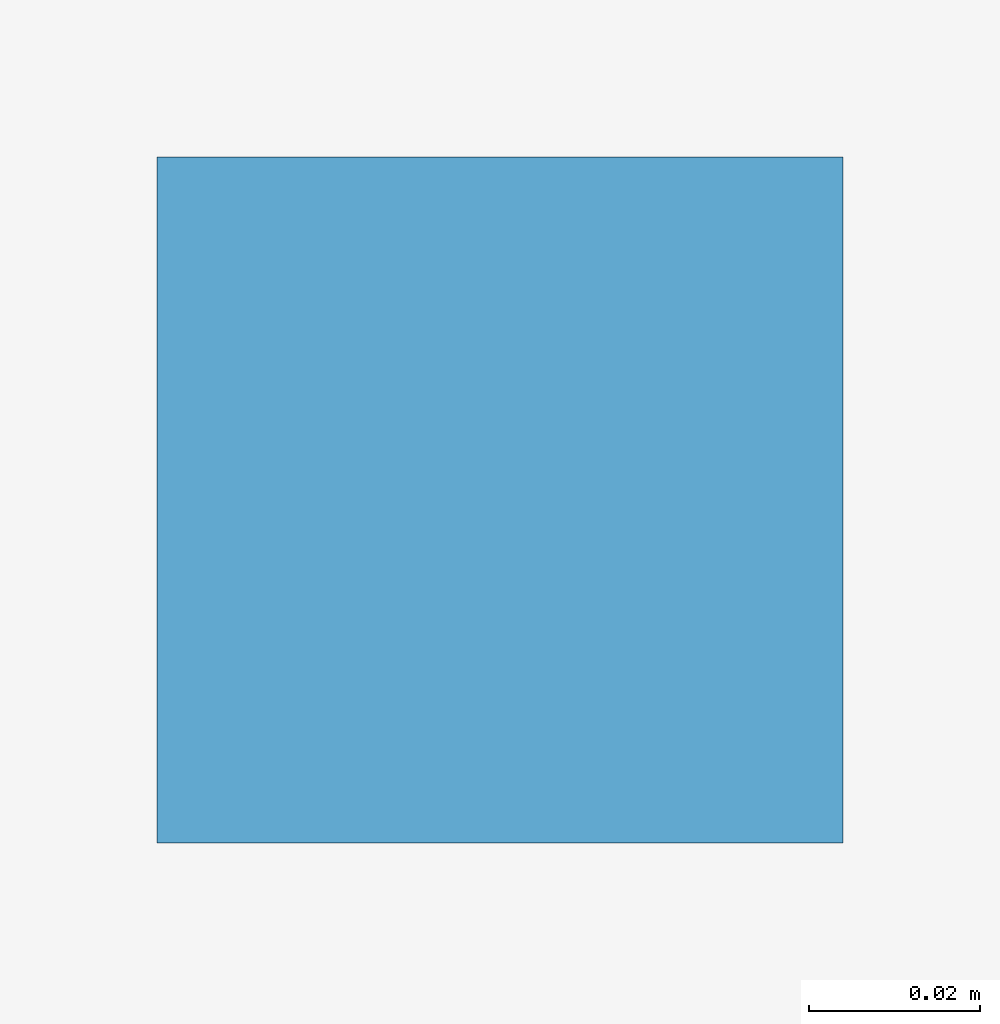
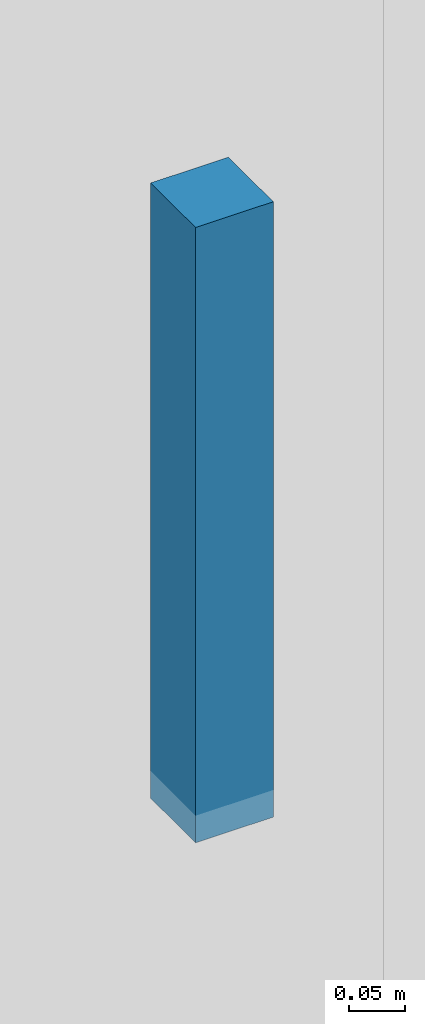
# One storey, part 11 of 15: 1 discrete accessory.
"""IFC4 building model written with IfcOpenShell, lengths in metres."""

from ifc_helpers import new_model, si_unit, direction, frame, origin, origin_2d, place, context, subcontext, project, spatial, rectangle, extrude, source, transform, mapped, material, type_object, element, save


model = new_model("IFC4")

# Units and contexts
model_context = context("Model", 3, precision=1e-05, world=origin(), true_north=direction((0.0, 1.0)))
body_context = subcontext(model_context, "Body", "Model", "MODEL_VIEW")
ifc_project = project(units=[si_unit("LENGTHUNIT", "METRE"), si_unit("AREAUNIT", "SQUARE_METRE"), si_unit("VOLUMEUNIT", "CUBIC_METRE"), si_unit("PLANEANGLEUNIT", "RADIAN"), si_unit("MASSUNIT", "GRAM", prefix="KILO")], contexts=[model_context])

# Site, building, storey
site_placement = place(None, origin())
site = spatial("IfcSite", under=ifc_project, at=site_placement, CompositionType="ELEMENT")
building_placement = place(site_placement, origin())
building = spatial("IfcBuilding", under=site, at=building_placement, Name="Giltprow Tower", CompositionType="ELEMENT")
storey_placement = place(building_placement, frame((0.0, 0.0, 177.199951171875)))
storey = spatial("IfcBuildingStorey", under=building, at=storey_placement, Name="L44", CompositionType="ELEMENT", Elevation=177.199951171875)

# Discrete accessory
ifc_material = material(Name="Structural steel Q355B", Category="steel")
discrete_accessory_type = type_object("IfcDiscreteAccessoryType", Name="ACC-CLG-HANGER", PredefinedType="BRACKET", material=ifc_material)
shared_shape = source(origin(), body_context, "Body", "SweptSolid", [
    extrude(rectangle(XDim=0.080078125, YDim=0.080078125, at=origin_2d()), origin(), (0.0, 0.0, 1.0), 0.669921875),
])
discrete_accessory_placement = place(storey_placement, frame((35.0, 35.35009765625, 2.6201171875), z_axis=(0.0, 0.0, 1.0), x_axis=(1.0, 0.0, 0.0)))
element("IfcDiscreteAccessory", 1, at=discrete_accessory_placement, inside=storey, type_object=discrete_accessory_type, Name="L44 Hotel Corridor Gypsum Ceiling Suspension Hanger", PredefinedType="BRACKET", context=body_context, shape_type="MappedRepresentation", body=[
    mapped(shared_shape, transform((0.0, 0.0, 0.0), x_axis=(1.0, 0.0, 0.0), y_axis=(0.0, 1.0, 0.0), z_axis=(0.0, 0.0, 1.0), scale=1.0)),
])

save(model, "model.ifc")
